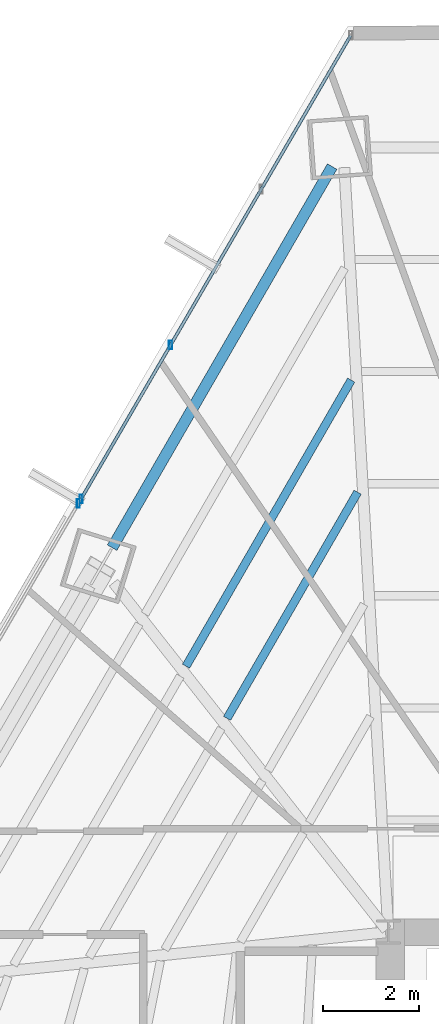
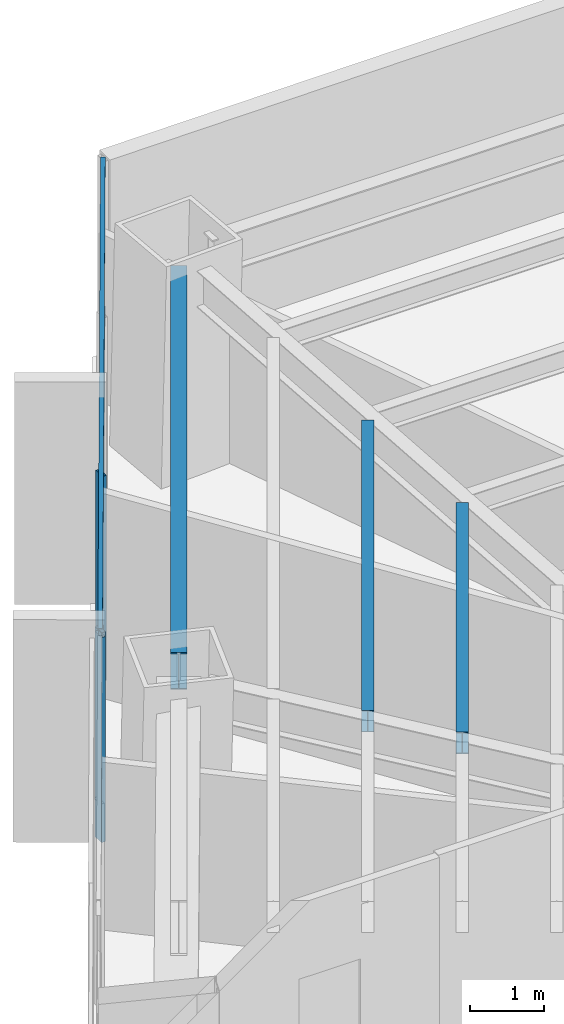
# One storey, part 24 of 36: 5 members, 3 beams, 2 elements without a shape of their own.
"""IFC4 building model written with IfcOpenShell, lengths in metres."""

from ifc_helpers import new_model, si_unit, direction, frame, origin, origin_2d, place, context, subcontext, project, spatial, hollow_rectangle, i_section, extrude, source, transform, mapped, material, material_profile, profile_set, type_object, type_shapes, element, aggregate, save


model = new_model("IFC4")

# Units and contexts
model_context = context("Model", 3, precision=1e-05, world=origin(), true_north=direction((0.0, 1.0)))
body_context = subcontext(model_context, "Body", "Model", "MODEL_VIEW")
ifc_project = project(units=[si_unit("LENGTHUNIT", "METRE"), si_unit("AREAUNIT", "SQUARE_METRE"), si_unit("VOLUMEUNIT", "CUBIC_METRE"), si_unit("PLANEANGLEUNIT", "RADIAN"), si_unit("MASSUNIT", "GRAM", prefix="KILO")], contexts=[model_context])

# Site, building, storey
site_placement = place(None, origin())
site = spatial("IfcSite", under=ifc_project, at=site_placement, CompositionType="ELEMENT")
building_placement = place(site_placement, origin())
building = spatial("IfcBuilding", under=site, at=building_placement, Name="Caelisora Broadcast Tower", CompositionType="ELEMENT")
storey_placement = place(building_placement, frame((0.0, 0.0, 60.449951171875)))
storey = spatial("IfcBuildingStorey", under=building, at=storey_placement, Name="L15", CompositionType="ELEMENT", Elevation=60.449951171875)

# Beams
ifc_material_1 = material(Name="Steel Grade 350 (AS/NZS 3679.1)", Category="steel")
ifc_material_profile_1 = material_profile(ifc_material_1, i_section(OverallWidth=0.22900390625, OverallDepth=0.611572265625, WebThickness=0.011962890625, FlangeThickness=0.01953125, at=origin_2d()), Name="Steel Grade 350 (AS/NZS 3679.1)")
ifc_profile_set_1 = profile_set([ifc_material_profile_1], Name="Steel Grade 350 (AS/NZS 3679.1)")
beam_type_1 = type_object("IfcBeamType", Name="PG03", PredefinedType="BEAM", material=ifc_profile_set_1)
shared_shape_1 = source(origin(), body_context, "Body", "SweptSolid", [
    extrude(i_section(OverallWidth=0.22900390625, OverallDepth=0.611572265625, WebThickness=0.011962890625, FlangeThickness=0.01953125, at=origin_2d()), origin(), (0.0, 0.0, 1.0), 9.16259765625),
])
type_shapes(beam_type_1, [shared_shape_1])
beam_1_placement = place(storey_placement, frame((29.330322265625, 45.937744140625, 3.09423828125), z_axis=(-0.499999231632, -0.866025847402, 0.0), x_axis=(0.866025847402, -0.499999231632, 0.0)))
element("IfcBeam", 1, at=beam_1_placement, inside=storey, type_object=beam_type_1, Name="L15 beam PG03", PredefinedType="BEAM", context=body_context, shape_type="MappedRepresentation", body=[
    mapped(shared_shape_1, transform((0.0, 0.0, 0.0), scale=1.0)),
])
ifc_material_profile_2 = material_profile(ifc_material_1, i_section(OverallWidth=0.172119140625, OverallDepth=0.358642578125, WebThickness=0.008056640625, FlangeThickness=0.012939453125, at=origin_2d()), Name="Steel Grade 350 (AS/NZS 3679.1)")
ifc_profile_set_2 = profile_set([ifc_material_profile_2], Name="Steel Grade 350 (AS/NZS 3679.1)")
beam_type_2 = type_object("IfcBeamType", Name="SB02", PredefinedType="JOIST", material=ifc_profile_set_2)
shared_shape_2 = source(origin(), body_context, "Body", "SweptSolid", [
    extrude(i_section(OverallWidth=0.172119140625, OverallDepth=0.358642578125, WebThickness=0.008056640625, FlangeThickness=0.012939453125, at=origin_2d()), origin(), (0.0, 0.0, 1.0), 5.43701171875),
])
beam_2_placement = place(storey_placement, frame((29.860595703125, 39.15771484375, 3.220703125), z_axis=(-0.500007500377, -0.866021073396, 0.0), x_axis=(0.866021073396, -0.500007500377, 0.0)))
element("IfcBeam", 2, at=beam_2_placement, inside=storey, type_object=beam_type_2, Name="L15 beam SB02", PredefinedType="JOIST", context=body_context, shape_type="MappedRepresentation", body=[
    mapped(shared_shape_2, transform((0.0, 0.0, 0.0), scale=1.0)),
])
shared_shape_3 = source(origin(), body_context, "Body", "SweptSolid", [
    extrude(i_section(OverallWidth=0.172119140625, OverallDepth=0.358642578125, WebThickness=0.008056640625, FlangeThickness=0.012939453125, at=origin_2d()), origin(), (0.0, 0.0, 1.0), 6.87744140625),
])
type_shapes(beam_type_2, [shared_shape_2, shared_shape_3])
beam_3_placement = place(storey_placement, frame((29.7265625, 41.491455078125, 3.220703125), z_axis=(-0.499999010461, -0.866025975094, 0.0), x_axis=(0.866025975094, -0.499999010461, 0.0)))
element("IfcBeam", 3, at=beam_3_placement, inside=storey, type_object=beam_type_2, Name="L15 beam SB02", PredefinedType="JOIST", context=body_context, shape_type="MappedRepresentation", body=[
    mapped(shared_shape_3, transform((0.0, 0.0, 0.0), scale=1.0)),
])

# Curtain wall, member
ifc_material_2 = material(Name="Unitised Aluminium Insulated Shadow-Box Spandrel Curtain Wall", Category="aluminium")
curtain_wall_type_1 = type_object("IfcCurtainWallType", Name="CW-SP1", PredefinedType="NOTDEFINED", material=ifc_material_2)
curtain_wall_1_placement = place(storey_placement, origin())
curtain_wall_1 = element("IfcCurtainWall", 4, at=curtain_wall_1_placement, inside=storey, type_object=curtain_wall_type_1, Name="L15 curtain wall CW-SP1", PredefinedType="NOTDEFINED")
ifc_material_3 = material(Name="Aluminium 6063-T6 Anodised Terracotta Bronze", Category="aluminium")
ifc_material_profile_3 = material_profile(ifc_material_3, hollow_rectangle(XDim=0.06494140625, YDim=0.179931640625, WallThickness=0.00341796875, at=origin_2d()), Name="Aluminium 6063-T6 Anodised Terracotta Bronze")
ifc_profile_set_3 = profile_set([ifc_material_profile_3], Name="Aluminium 6063-T6 Anodised Terracotta Bronze")
member_type_1 = type_object("IfcMemberType", Name="CWM-02", PredefinedType="MULLION", material=ifc_profile_set_3)
shared_shape_4 = source(origin(), body_context, "Body", "SweptSolid", [
    extrude(hollow_rectangle(XDim=0.06494140625, YDim=0.179931640625, WallThickness=0.00341796875, at=origin_2d()), origin(), (0.0, 0.0, 1.0), 3.400146484375),
])
type_shapes(member_type_1, [shared_shape_4])
member_1_placement = place(storey_placement, frame((24.0478515625, 38.923828125, 0.0), z_axis=(0.0, 0.0, 1.0), x_axis=(1.0, 0.0, 0.0)))
member_1 = element("IfcMember", 5, at=member_1_placement, type_object=member_type_1, Name="L15-CW-B10 mullion #3", PredefinedType="MULLION", context=body_context, shape_type="MappedRepresentation", body=[
    mapped(shared_shape_4, transform((0.0, 0.0, 0.0), scale=1.0)),
])
aggregate(curtain_wall_1, [member_1])

# Curtain wall, members
ifc_material_4 = material(Name="Unitised Aluminium and Low-E Glass Curtain Wall", Category="glass")
curtain_wall_type_2 = type_object("IfcCurtainWallType", Name="CW-Z1", PredefinedType="NOTDEFINED", material=ifc_material_4)
curtain_wall_2_placement = place(storey_placement, origin())
curtain_wall_2 = element("IfcCurtainWall", 6, at=curtain_wall_2_placement, inside=storey, type_object=curtain_wall_type_2, Name="L15 curtain wall CW-Z1", PredefinedType="NOTDEFINED")
member_2_placement = place(storey_placement, frame((24.103271484375, 39.018798828125, 0.0), z_axis=(0.0, 0.0, 1.0), x_axis=(1.0, 0.0, 0.0)))
member_2 = element("IfcMember", 7, at=member_2_placement, type_object=member_type_1, Name="L15-CW-B11 mullion #0", PredefinedType="MULLION", context=body_context, shape_type="MappedRepresentation", body=[
    mapped(shared_shape_4, transform((0.0, 0.0, 0.0), scale=1.0)),
])
member_3_placement = place(storey_placement, frame((25.9658203125, 42.22021484375, 0.0), z_axis=(0.0, 0.0, 1.0), x_axis=(1.0, 0.0, 0.0)))
member_3 = element("IfcMember", 8, at=member_3_placement, type_object=member_type_1, Name="L15-CW-B11 mullion #1", PredefinedType="MULLION", context=body_context, shape_type="MappedRepresentation", body=[
    mapped(shared_shape_4, transform((0.0, 0.0, 0.0), scale=1.0)),
])
ifc_material_profile_4 = material_profile(ifc_material_3, hollow_rectangle(XDim=0.06494140625, YDim=0.179931640625, WallThickness=0.00341796875, at=origin_2d()), Name="Aluminium 6063-T6 Anodised Terracotta Bronze")
ifc_profile_set_4 = profile_set([ifc_material_profile_4], Name="Aluminium 6063-T6 Anodised Terracotta Bronze")
member_type_2 = type_object("IfcMemberType", Name="CWT-01", PredefinedType="USERDEFINED", material=ifc_profile_set_4)
shared_shape_5 = source(origin(), body_context, "Body", "SweptSolid", [
    extrude(hollow_rectangle(XDim=0.06494140625, YDim=0.179931640625, WallThickness=0.00341796875, at=origin_2d()), origin(), (0.0, 0.0, 1.0), 11.160888671875),
])
type_shapes(member_type_2, [shared_shape_5])
member_4_placement = place(storey_placement, frame((24.103271484375, 39.018798828125, 0.85009765625), z_axis=(0.502877829938, 0.864357500203, 0.0), x_axis=(-0.864357500203, 0.502877829938, 0.0)))
member_4 = element("IfcMember", 9, at=member_4_placement, type_object=member_type_2, Name="L15-CW-B11 transom #1", ObjectType="TRANSOM", PredefinedType="USERDEFINED", context=body_context, shape_type="MappedRepresentation", body=[
    mapped(shared_shape_5, transform((0.0, 0.0, 0.0), scale=1.0)),
])
member_5_placement = place(storey_placement, frame((24.103271484375, 39.018798828125, 3.320068359375), z_axis=(0.502877829938, 0.864357500203, 0.0), x_axis=(-0.864357500203, 0.502877829938, 0.0)))
member_5 = element("IfcMember", 10, at=member_5_placement, type_object=member_type_2, Name="L15-CW-B11 transom #2", ObjectType="TRANSOM", PredefinedType="USERDEFINED", context=body_context, shape_type="MappedRepresentation", body=[
    mapped(shared_shape_5, transform((0.0, 0.0, 0.0), scale=1.0)),
])
aggregate(curtain_wall_2, [member_2, member_3, member_4, member_5])

save(model, "model.ifc")
